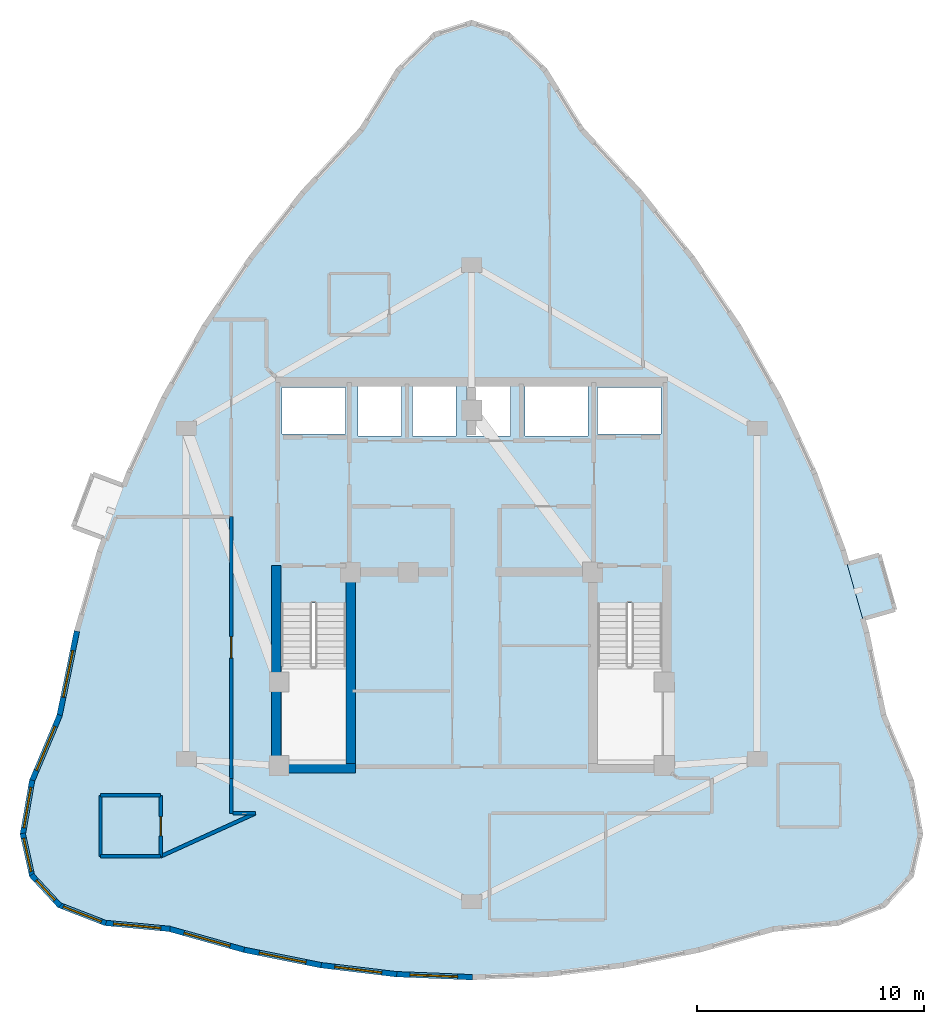
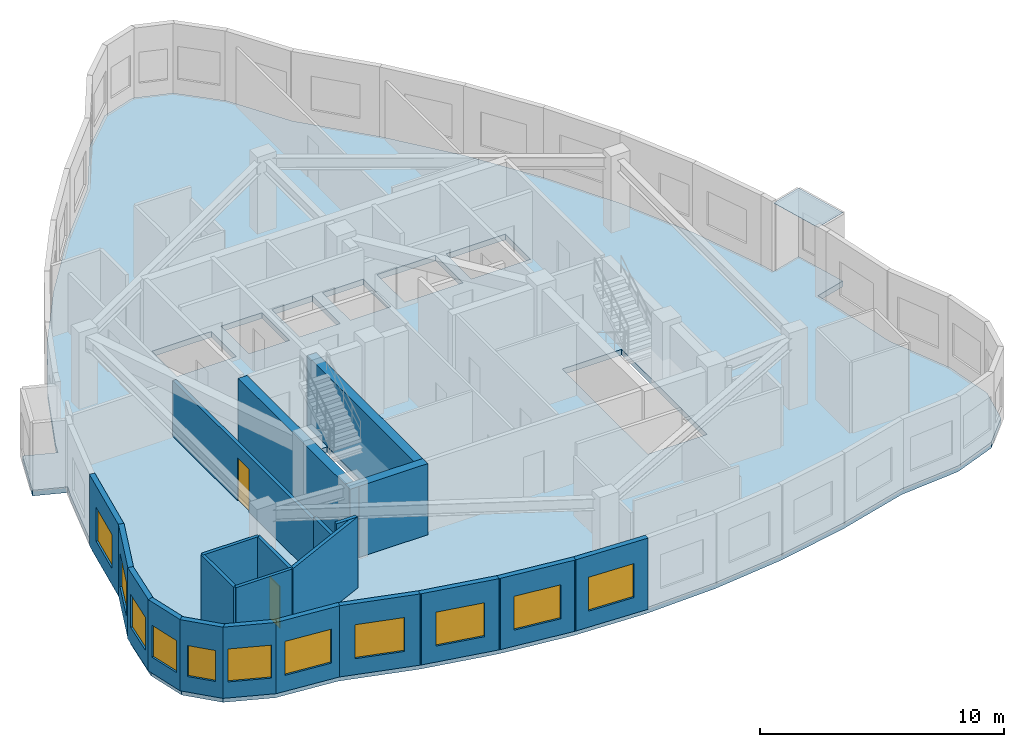
# One storey, part 4 of 9: 22 walls, 11 windows, 2 doors, 1 plate, 1 slab, 13 openings.
"""IFC4 building model written with IfcOpenShell, lengths in metres."""

from ifc_helpers import new_model, si_unit, direction, frame, frame_2d, origin, place, context, subcontext, project, spatial, polyline, rectangle, outline, extrude, material, layer, layer_set, type_object, element, fill, save


model = new_model("IFC4")

# Units and contexts
model_context = context("Model", 3, precision=1e-05, world=origin(), true_north=direction((0.0, 1.0)))
body_context = subcontext(model_context, "Body", "Model", "MODEL_VIEW")
ifc_project = project(units=[si_unit("LENGTHUNIT", "METRE"), si_unit("AREAUNIT", "SQUARE_METRE"), si_unit("VOLUMEUNIT", "CUBIC_METRE"), si_unit("PLANEANGLEUNIT", "RADIAN"), si_unit("MASSUNIT", "GRAM", prefix="KILO")], contexts=[model_context])

# Site, building, storey
site_placement = place(None, origin())
site = spatial("IfcSite", under=ifc_project, at=site_placement, CompositionType="ELEMENT")
building_placement = place(site_placement, origin())
building = spatial("IfcBuilding", under=site, at=building_placement, Name="Miruveldt Soraemaru", CompositionType="ELEMENT")
storey_placement = place(building_placement, frame((0.0, 0.0, 267.39990234375)))
storey = spatial("IfcBuildingStorey", under=building, at=storey_placement, Name="L73", CompositionType="ELEMENT", Elevation=267.39990234375)

# Plate
ifc_material_1 = material(Name="Standing-seam titanium-zinc sheet", Category="aluminium")
ifc_layer_1 = layer(ifc_material_1, 0.011962890625, Name="Standing-seam titanium-zinc sheet", Category="aluminium")
ifc_layer_set_1 = layer_set([ifc_layer_1], Name="Standing-seam titanium-zinc sheet")
plate_type = type_object("IfcPlateType", Name="PLT-ZINC-12", PredefinedType="SHEET", material=ifc_layer_set_1)
plate_placement = place(storey_placement, frame((0.0, 0.0, 3.4150390625)))
element("IfcPlate", 1, at=plate_placement, inside=storey, type_object=plate_type, Name="L73 Bay Window Zinc Hood Sheet 2", PredefinedType="SHEET", context=body_context, shape_type="SweptSolid", body=[
    extrude(outline(polyline([(61.26416015625, 41.97998046875), (60.570068359375, 44.406494140625), (61.992919921875, 44.813720703125), (62.68701171875, 42.386962890625), (61.26416015625, 41.97998046875)])), origin(), (0.0, 0.0, 1.0), 0.011962890625),
])

# Slab
ifc_material_2 = material(Name="Concrete C40/50 (40 MPa)", Category="concrete")
ifc_layer_2 = layer(ifc_material_2, 0.284912109375, Name="Concrete C40/50 (40 MPa)", Category="concrete")
ifc_layer_set_2 = layer_set([ifc_layer_2], Name="Concrete C40/50 (40 MPa)")
slab_type = type_object("IfcSlabType", Name="SLAB-RES4-285", PredefinedType="FLOOR", material=ifc_layer_set_2)
slab_placement = place(storey_placement, frame((0.0, 0.0, -0.284912109375)))
element("IfcSlab", 2, at=slab_placement, inside=storey, type_object=slab_type, Name="L73 Structural Floor Slab", PredefinedType="FLOOR", context=body_context, shape_type="SweptSolid", body=[
    extrude(outline(polyline([(61.427490234375, 41.40869140625), (62.189453125, 37.706298828125), (63.401123046875, 34.83349609375), (63.80517578125, 32.48291015625), (63.401123046875, 30.654541015625), (62.189453125, 29.3486328125), (60.169921875, 28.565185546875), (57.342529296875, 28.303955078125), (54.007080078125, 27.3701171875), (50.67138671875, 26.702880859375), (47.335693359375, 26.302490234375), (44.0, 26.169189453125), (40.664306640625, 26.302490234375), (37.32861328125, 26.702880859375), (33.992919921875, 27.3701171875), (30.657470703125, 28.303955078125), (27.830078125, 28.565185546875), (25.810546875, 29.3486328125), (24.598876953125, 30.654541015625), (24.19482421875, 32.48291015625), (24.598876953125, 34.83349609375), (25.810546875, 37.706298828125), (26.572509765625, 41.40869140625), (27.59326171875, 44.977783203125), (28.23291015625, 46.695556640625), (27.7978515625, 45.52734375), (26.410888671875, 46.0439453125), (27.28125, 48.380126953125), (28.668212890625, 47.863525390625), (28.872802734375, 48.413330078125), (30.4111328125, 51.71533203125), (32.20849609375, 54.884033203125), (34.264404296875, 57.91943359375), (36.579345703125, 60.8212890625), (39.1533203125, 63.589599609375), (40.768798828125, 66.201416015625), (42.384521484375, 67.7685546875), (44.0, 68.290771484375), (45.615478515625, 67.7685546875), (47.231201171875, 66.201416015625), (48.8466796875, 63.589599609375), (51.420654296875, 60.8212890625), (53.735595703125, 57.91943359375), (55.79150390625, 54.884033203125), (57.5888671875, 51.71533203125), (59.127197265625, 48.413330078125), (60.40673828125, 44.977783203125), (60.570068359375, 44.406494140625), (61.992919921875, 44.813720703125), (62.68701171875, 42.386962890625), (61.26416015625, 41.97998046875), (60.9169921875, 43.193115234375), (61.427490234375, 41.40869140625)]), holes=[polyline([(35.614990234375, 35.6650390625), (38.43505859375, 35.6650390625), (38.43505859375, 42.68505859375), (35.614990234375, 42.68505859375), (35.614990234375, 35.6650390625)]), polyline([(49.56494140625, 35.6650390625), (52.385009765625, 35.6650390625), (52.385009765625, 42.68505859375), (49.56494140625, 42.68505859375), (49.56494140625, 35.6650390625)]), polyline([(38.445068359375, 50.135009765625), (38.445068359375, 52.205078125), (35.635009765625, 52.205078125), (35.635009765625, 50.135009765625), (38.445068359375, 50.135009765625)]), polyline([(52.364990234375, 50.135009765625), (52.364990234375, 52.205078125), (49.554931640625, 52.205078125), (49.554931640625, 50.135009765625), (52.364990234375, 50.135009765625)]), polyline([(40.9150390625, 50.06494140625), (40.9150390625, 52.3349609375), (38.985107421875, 52.3349609375), (38.985107421875, 50.06494140625), (40.9150390625, 50.06494140625)]), polyline([(43.31494140625, 50.06494140625), (43.31494140625, 52.3349609375), (41.385009765625, 52.3349609375), (41.385009765625, 50.06494140625), (43.31494140625, 50.06494140625)]), polyline([(45.715087890625, 50.06494140625), (45.715087890625, 52.3349609375), (43.784912109375, 52.3349609375), (43.784912109375, 50.06494140625), (45.715087890625, 50.06494140625)]), polyline([(49.135009765625, 50.06494140625), (49.135009765625, 52.3349609375), (46.364990234375, 52.3349609375), (46.364990234375, 50.06494140625), (49.135009765625, 50.06494140625)])]), origin(), (0.0, 0.0, 1.0), 0.284912109375),
])

# Walls
ifc_material_3 = material(Name="Concrete C50/60 (50 MPa)", Category="concrete")
ifc_layer_3 = layer(ifc_material_3, 0.419921875, Name="Concrete C50/60 (50 MPa)", Category="concrete")
ifc_layer_set_3 = layer_set([ifc_layer_3], Name="Concrete C50/60 (50 MPa)")
wall_type_1 = type_object("IfcWallType", Name="WALL-CW-420", PredefinedType="SHEAR", material=ifc_layer_set_3)
wall_1_placement = place(storey_placement, frame((35.179931640625, 35.389892578125, 0.0), z_axis=(0.0, 0.0, 1.0), x_axis=(1.0, 0.0, 0.0)))
element("IfcWall", 3, at=wall_1_placement, inside=storey, type_object=wall_type_1, Name="L73 Central Core Shear Wall S1", PredefinedType="SHEAR", context=body_context, shape_type="SweptSolid", body=[
    extrude(rectangle(XDim=3.690185546875, YDim=0.419921875, at=frame_2d((1.84521484375, 0.0))), origin(), (0.0, 0.0, 1.0), 3.565185546875),
])
wall_2_placement = place(storey_placement, frame((35.389892578125, 35.179931640625, 0.0), z_axis=(0.0, 0.0, 1.0), x_axis=(0.0, 1.0, 0.0)))
element("IfcWall", 4, at=wall_2_placement, inside=storey, type_object=wall_type_1, Name="L73 Central Core Shear Wall W1", PredefinedType="SHEAR", context=body_context, shape_type="SweptSolid", body=[
    extrude(rectangle(XDim=9.170166015625, YDim=0.419921875, at=frame_2d((4.5849609375, 0.0))), origin(), (0.0, 0.0, 1.0), 3.565185546875),
])
wall_3_placement = place(storey_placement, frame((38.659912109375, 35.39990234375, 0.0), z_axis=(0.0, 0.0, 1.0), x_axis=(0.0, 1.0, 0.0)))
element("IfcWall", 5, at=wall_3_placement, inside=storey, type_object=wall_type_1, Name="L73 Central Core Shear Wall SW-INT", PredefinedType="SHEAR", context=body_context, shape_type="SweptSolid", body=[
    extrude(rectangle(XDim=8.9501953125, YDim=0.419921875, at=frame_2d((4.47509765625, 0.0))), origin(), (0.0, 0.0, 1.0), 3.565185546875),
])

# Wall, opening, window
ifc_material_4 = material(Name="Precast concrete C45/55 (45 MPa)", Category="concrete")
ifc_layer_4 = layer(ifc_material_4, 0.239990234375, Name="Precast concrete C45/55 (45 MPa)", Category="concrete")
ifc_layer_set_4 = layer_set([ifc_layer_4], Name="Precast concrete C45/55 (45 MPa)")
wall_type_2 = type_object("IfcWallType", Name="WALL-EXT-PC240", PredefinedType="SOLIDWALL", material=ifc_layer_set_4)
wall_4_placement = place(storey_placement, frame((26.57958984375, 41.443115234375, 0.0), z_axis=(0.0, 0.0, 1.0), x_axis=(-0.201588507815, -0.979470302519, 0.0)))
wall_4 = element("IfcWall", 6, at=wall_4_placement, inside=storey, type_object=wall_type_2, Name="L73 Precast Concrete Facade Wall 14", PredefinedType="SOLIDWALL", context=body_context, shape_type="SweptSolid", body=[
    extrude(rectangle(XDim=3.85009765625, YDim=0.239990234375, at=frame_2d((1.925048828125, 0.0))), origin(), (0.0, 0.0, 1.0), 3.565185546875),
])
opening_1_placement = place(wall_4_placement, frame((0.875, 0.0, 0.800048828125)))
opening_1 = element("IfcOpeningElement", 7, at=opening_1_placement, cuts=wall_4, Name="Opening WN-1", PredefinedType="OPENING", context=body_context, shape_type="SweptSolid", body=[
    extrude(rectangle(XDim=2.10009765625, YDim=1.699951171875, at=frame_2d((1.050048828125, 0.85009765625))), frame((0.0, 0.1298828125, 0.0), z_axis=(0.0, -1.0, 0.0), x_axis=(1.0, 0.0, 0.0)), (0.0, 0.0, 1.0), 0.260009765625),
])
ifc_material_5 = material(Name="Triple low-e insulated glazing", Category="glass")
window_type_1 = type_object("IfcWindowType", Name="WIN-PUNCH-2100x1700", PartitioningType="SINGLE_PANEL", PredefinedType="WINDOW", material=ifc_material_5)
window_1_placement = place(opening_1_placement, origin())
window_1 = element("IfcWindow", 8, at=window_1_placement, inside=storey, type_object=window_type_1, Name="L73 Punched Triple-Glazed Window 14.1", OverallHeight=1.699951171875, OverallWidth=2.10009765625, PartitioningType="SINGLE_PANEL", PredefinedType="WINDOW", context=body_context, shape_type="SweptSolid", body=[
    extrude(rectangle(XDim=2.10009765625, YDim=1.699951171875, at=frame_2d((1.050048828125, 0.85009765625))), frame((0.0, 0.030029296875, 0.0), z_axis=(0.0, -1.0, 0.0), x_axis=(1.0, 0.0, 0.0)), (0.0, 0.0, 1.0), 0.06005859375),
])
fill(opening_1, window_1)

wall_5_placement = place(storey_placement, frame((25.82421875, 37.738525390625, 0.0), z_axis=(0.0, 0.0, 1.0), x_axis=(-0.388662919485, -0.921380016615, 0.0)))
wall_5 = element("IfcWall", 9, at=wall_5_placement, inside=storey, type_object=wall_type_2, Name="L73 Precast Concrete Facade Wall 15", PredefinedType="SOLIDWALL", context=body_context, shape_type="SweptSolid", body=[
    extrude(rectangle(XDim=3.18798828125, YDim=0.239990234375, at=frame_2d((1.593994140625, 0.0))), origin(), (0.0, 0.0, 1.0), 3.565185546875),
])
opening_2_placement = place(wall_5_placement, frame((0.5439453125, 0.0, 0.800048828125)))
opening_2 = element("IfcOpeningElement", 10, at=opening_2_placement, cuts=wall_5, Name="Opening WN-1", PredefinedType="OPENING", context=body_context, shape_type="SweptSolid", body=[
    extrude(rectangle(XDim=2.10009765625, YDim=1.699951171875, at=frame_2d((1.050048828125, 0.85009765625))), frame((0.0, 0.1298828125, 0.0), z_axis=(0.0, -1.0, 0.0), x_axis=(1.0, 0.0, 0.0)), (0.0, 0.0, 1.0), 0.260009765625),
])
window_2_placement = place(opening_2_placement, origin())
window_2 = element("IfcWindow", 11, at=window_2_placement, inside=storey, type_object=window_type_1, Name="L73 Punched Triple-Glazed Window 15.1", OverallHeight=1.699951171875, OverallWidth=2.10009765625, PartitioningType="SINGLE_PANEL", PredefinedType="WINDOW", context=body_context, shape_type="SweptSolid", body=[
    extrude(rectangle(XDim=2.10009765625, YDim=1.699951171875, at=frame_2d((1.050048828125, 0.85009765625))), frame((0.0, 0.030029296875, 0.0), z_axis=(0.0, -1.0, 0.0), x_axis=(1.0, 0.0, 0.0)), (0.0, 0.0, 1.0), 0.06005859375),
])
fill(opening_2, window_2)

wall_6_placement = place(storey_placement, frame((24.604736328125, 34.867919921875, 0.0), z_axis=(0.0, 0.0, 1.0), x_axis=(-0.169347449278, -0.985556412096, 0.0)))
wall_6 = element("IfcWall", 12, at=wall_6_placement, inside=storey, type_object=wall_type_2, Name="L73 Precast Concrete Facade Wall 16", PredefinedType="SOLIDWALL", context=body_context, shape_type="SweptSolid", body=[
    extrude(rectangle(XDim=2.455078125, YDim=0.239990234375, at=frame_2d((1.2275390625, 0.0))), origin(), (0.0, 0.0, 1.0), 3.565185546875),
])
opening_3_placement = place(wall_6_placement, frame((0.327880859375, 0.0, 0.800048828125)))
opening_3 = element("IfcOpeningElement", 13, at=opening_3_placement, cuts=wall_6, Name="Opening WN-2", PredefinedType="OPENING", context=body_context, shape_type="SweptSolid", body=[
    extrude(rectangle(XDim=1.800048828125, YDim=1.64990234375, at=frame_2d((0.89990234375, 0.824951171875))), frame((0.0, 0.1298828125, 0.0), z_axis=(0.0, -1.0, 0.0), x_axis=(1.0, 0.0, 0.0)), (0.0, 0.0, 1.0), 0.260009765625),
])
window_type_2 = type_object("IfcWindowType", Name="WIN-PUNCH-1800x1650", PartitioningType="SINGLE_PANEL", PredefinedType="WINDOW", material=ifc_material_5)
window_3_placement = place(opening_3_placement, origin())
window_3 = element("IfcWindow", 14, at=window_3_placement, inside=storey, type_object=window_type_2, Name="L73 Punched Triple-Glazed Window 16.1", OverallHeight=1.64990234375, OverallWidth=1.800048828125, PartitioningType="SINGLE_PANEL", PredefinedType="WINDOW", context=body_context, shape_type="SweptSolid", body=[
    extrude(rectangle(XDim=1.800048828125, YDim=1.64990234375, at=frame_2d((0.89990234375, 0.824951171875))), frame((0.0, 0.030029296875, 0.0), z_axis=(0.0, -1.0, 0.0), x_axis=(1.0, 0.0, 0.0)), (0.0, 0.0, 1.0), 0.06005859375),
])
fill(opening_3, window_3)

wall_7_placement = place(storey_placement, frame((24.187255859375, 32.51708984375, 0.0), z_axis=(0.0, 0.0, 1.0), x_axis=(0.2157991576, -0.976437772507, 0.0)))
wall_7 = element("IfcWall", 15, at=wall_7_placement, inside=storey, type_object=wall_type_2, Name="L73 Precast Concrete Facade Wall 17", PredefinedType="SOLIDWALL", context=body_context, shape_type="SweptSolid", body=[
    extrude(rectangle(XDim=1.9423828125, YDim=0.239990234375, at=frame_2d((0.97119140625, 0.0))), origin(), (0.0, 0.0, 1.0), 3.565185546875),
])
opening_4_placement = place(wall_7_placement, frame((0.220947265625, 0.0, 0.800048828125)))
opening_4 = element("IfcOpeningElement", 16, at=opening_4_placement, cuts=wall_7, Name="Opening WN-3", PredefinedType="OPENING", context=body_context, shape_type="SweptSolid", body=[
    extrude(rectangle(XDim=1.5, YDim=1.60009765625, at=frame_2d((0.75, 0.800048828125))), frame((0.0, 0.1298828125, 0.0), z_axis=(0.0, -1.0, 0.0), x_axis=(1.0, 0.0, 0.0)), (0.0, 0.0, 1.0), 0.260009765625),
])
window_type_3 = type_object("IfcWindowType", Name="WIN-PUNCH-1500x1600", PartitioningType="SINGLE_PANEL", PredefinedType="WINDOW", material=ifc_material_5)
window_4_placement = place(opening_4_placement, origin())
window_4 = element("IfcWindow", 17, at=window_4_placement, inside=storey, type_object=window_type_3, Name="L73 Punched Triple-Glazed Window 17.1", OverallHeight=1.60009765625, OverallWidth=1.5, PartitioningType="SINGLE_PANEL", PredefinedType="WINDOW", context=body_context, shape_type="SweptSolid", body=[
    extrude(rectangle(XDim=1.5, YDim=1.60009765625, at=frame_2d((0.75, 0.800048828125))), frame((0.0, 0.030029296875, 0.0), z_axis=(0.0, -1.0, 0.0), x_axis=(1.0, 0.0, 0.0)), (0.0, 0.0, 1.0), 0.06005859375),
])
fill(opening_4, window_4)

wall_8_placement = place(storey_placement, frame((24.574951171875, 30.680419921875, 0.0), z_axis=(0.0, 0.0, 1.0), x_axis=(0.680177974589, -0.733047012738, 0.0)))
wall_8 = element("IfcWall", 18, at=wall_8_placement, inside=storey, type_object=wall_type_2, Name="L73 Precast Concrete Facade Wall 18", PredefinedType="SOLIDWALL", context=body_context, shape_type="SweptSolid", body=[
    extrude(rectangle(XDim=1.851806640625, YDim=0.239990234375, at=frame_2d((0.92578125, 0.0))), origin(), (0.0, 0.0, 1.0), 3.565185546875),
])
opening_5_placement = place(wall_8_placement, frame((0.325927734375, 0.0, 0.780029296875)))
opening_5 = element("IfcOpeningElement", 19, at=opening_5_placement, cuts=wall_8, Name="Opening WN-4", PredefinedType="OPENING", context=body_context, shape_type="SweptSolid", body=[
    extrude(rectangle(XDim=1.199951171875, YDim=1.550048828125, at=frame_2d((0.60009765625, 0.77490234375))), frame((0.0, 0.1298828125, 0.0), z_axis=(0.0, -1.0, 0.0), x_axis=(1.0, 0.0, 0.0)), (0.0, 0.0, 1.0), 0.260009765625),
])
window_type_4 = type_object("IfcWindowType", Name="WIN-PUNCH-1200x1550", PartitioningType="SINGLE_PANEL", PredefinedType="WINDOW", material=ifc_material_5)
window_5_placement = place(opening_5_placement, origin())
window_5 = element("IfcWindow", 20, at=window_5_placement, inside=storey, type_object=window_type_4, Name="L73 Punched Triple-Glazed Window 18.1", OverallHeight=1.550048828125, OverallWidth=1.199951171875, PartitioningType="SINGLE_PANEL", PredefinedType="WINDOW", context=body_context, shape_type="SweptSolid", body=[
    extrude(rectangle(XDim=1.199951171875, YDim=1.550048828125, at=frame_2d((0.60009765625, 0.77490234375))), frame((0.0, 0.030029296875, 0.0), z_axis=(0.0, -1.0, 0.0), x_axis=(1.0, 0.0, 0.0)), (0.0, 0.0, 1.0), 0.06005859375),
])
fill(opening_5, window_5)

wall_9_placement = place(storey_placement, frame((25.778076171875, 29.361328125, 0.0), z_axis=(0.0, 0.0, 1.0), x_axis=(0.932289188826, -0.361713793486, 0.0)))
wall_9 = element("IfcWall", 21, at=wall_9_placement, inside=storey, type_object=wall_type_2, Name="L73 Precast Concrete Facade Wall 19", PredefinedType="SOLIDWALL", context=body_context, shape_type="SweptSolid", body=[
    extrude(rectangle(XDim=2.236083984375, YDim=0.239990234375, at=frame_2d((1.1181640625, 0.0))), origin(), (0.0, 0.0, 1.0), 3.565185546875),
])
opening_6_placement = place(wall_9_placement, frame((0.218017578125, 0.0, 0.800048828125)))
opening_6 = element("IfcOpeningElement", 22, at=opening_6_placement, cuts=wall_9, Name="Opening WN-2", PredefinedType="OPENING", context=body_context, shape_type="SweptSolid", body=[
    extrude(rectangle(XDim=1.800048828125, YDim=1.64990234375, at=frame_2d((0.89990234375, 0.824951171875))), frame((0.0, 0.1298828125, 0.0), z_axis=(0.0, -1.0, 0.0), x_axis=(1.0, 0.0, 0.0)), (0.0, 0.0, 1.0), 0.260009765625),
])
window_6_placement = place(opening_6_placement, origin())
window_6 = element("IfcWindow", 23, at=window_6_placement, inside=storey, type_object=window_type_2, Name="L73 Punched Triple-Glazed Window 19.1", OverallHeight=1.64990234375, OverallWidth=1.800048828125, PartitioningType="SINGLE_PANEL", PredefinedType="WINDOW", context=body_context, shape_type="SweptSolid", body=[
    extrude(rectangle(XDim=1.800048828125, YDim=1.64990234375, at=frame_2d((0.89990234375, 0.824951171875))), frame((0.0, 0.030029296875, 0.0), z_axis=(0.0, -1.0, 0.0), x_axis=(1.0, 0.0, 0.0)), (0.0, 0.0, 1.0), 0.06005859375),
])
fill(opening_6, window_6)

wall_10_placement = place(storey_placement, frame((27.795166015625, 28.568359375, 0.0), z_axis=(0.0, 0.0, 1.0), x_axis=(0.995762187916, -0.09196556484, 0.0)))
wall_10 = element("IfcWall", 24, at=wall_10_placement, inside=storey, type_object=wall_type_2, Name="L73 Precast Concrete Facade Wall 20", PredefinedType="SOLIDWALL", context=body_context, shape_type="SweptSolid", body=[
    extrude(rectangle(XDim=2.90966796875, YDim=0.239990234375, at=frame_2d((1.454833984375, 0.0))), origin(), (0.0, 0.0, 1.0), 3.565185546875),
])
opening_7_placement = place(wall_10_placement, frame((0.405029296875, 0.0, 0.800048828125)))
opening_7 = element("IfcOpeningElement", 25, at=opening_7_placement, cuts=wall_10, Name="Opening WN-1", PredefinedType="OPENING", context=body_context, shape_type="SweptSolid", body=[
    extrude(rectangle(XDim=2.10009765625, YDim=1.699951171875, at=frame_2d((1.050048828125, 0.85009765625))), frame((0.0, 0.1298828125, 0.0), z_axis=(0.0, -1.0, 0.0), x_axis=(1.0, 0.0, 0.0)), (0.0, 0.0, 1.0), 0.260009765625),
])
window_7_placement = place(opening_7_placement, origin())
window_7 = element("IfcWindow", 26, at=window_7_placement, inside=storey, type_object=window_type_1, Name="L73 Punched Triple-Glazed Window 20.1", OverallHeight=1.699951171875, OverallWidth=2.10009765625, PartitioningType="SINGLE_PANEL", PredefinedType="WINDOW", context=body_context, shape_type="SweptSolid", body=[
    extrude(rectangle(XDim=2.10009765625, YDim=1.699951171875, at=frame_2d((1.050048828125, 0.85009765625))), frame((0.0, 0.030029296875, 0.0), z_axis=(0.0, -1.0, 0.0), x_axis=(1.0, 0.0, 0.0)), (0.0, 0.0, 1.0), 0.06005859375),
])
fill(opening_7, window_7)

wall_11_placement = place(storey_placement, frame((30.623779296875, 28.3134765625, 0.0), z_axis=(0.0, 0.0, 1.0), x_axis=(0.962957561597, -0.26965298916, 0.0)))
wall_11 = element("IfcWall", 27, at=wall_11_placement, inside=storey, type_object=wall_type_2, Name="L73 Precast Concrete Facade Wall 21", PredefinedType="SOLIDWALL", context=body_context, shape_type="SweptSolid", body=[
    extrude(rectangle(XDim=3.53369140625, YDim=0.239990234375, at=frame_2d((1.766845703125, 0.0))), origin(), (0.0, 0.0, 1.0), 3.565185546875),
])
opening_8_placement = place(wall_11_placement, frame((0.717041015625, 0.0, 0.800048828125)))
opening_8 = element("IfcOpeningElement", 28, at=opening_8_placement, cuts=wall_11, Name="Opening WN-1", PredefinedType="OPENING", context=body_context, shape_type="SweptSolid", body=[
    extrude(rectangle(XDim=2.10009765625, YDim=1.699951171875, at=frame_2d((1.050048828125, 0.85009765625))), frame((0.0, 0.1298828125, 0.0), z_axis=(0.0, -1.0, 0.0), x_axis=(1.0, 0.0, 0.0)), (0.0, 0.0, 1.0), 0.260009765625),
])
window_8_placement = place(opening_8_placement, origin())
window_8 = element("IfcWindow", 29, at=window_8_placement, inside=storey, type_object=window_type_1, Name="L73 Punched Triple-Glazed Window 21.1", OverallHeight=1.699951171875, OverallWidth=2.10009765625, PartitioningType="SINGLE_PANEL", PredefinedType="WINDOW", context=body_context, shape_type="SweptSolid", body=[
    extrude(rectangle(XDim=2.10009765625, YDim=1.699951171875, at=frame_2d((1.050048828125, 0.85009765625))), frame((0.0, 0.030029296875, 0.0), z_axis=(0.0, -1.0, 0.0), x_axis=(1.0, 0.0, 0.0)), (0.0, 0.0, 1.0), 0.06005859375),
])
fill(opening_8, window_8)

wall_12_placement = place(storey_placement, frame((33.958740234375, 27.376953125, 0.0), z_axis=(0.0, 0.0, 1.0), x_axis=(0.980577970883, -0.196129658691, 0.0)))
wall_12 = element("IfcWall", 30, at=wall_12_placement, inside=storey, type_object=wall_type_2, Name="L73 Precast Concrete Facade Wall 22", PredefinedType="SOLIDWALL", context=body_context, shape_type="SweptSolid", body=[
    extrude(rectangle(XDim=3.4716796875, YDim=0.239990234375, at=frame_2d((1.73583984375, 0.0))), origin(), (0.0, 0.0, 1.0), 3.565185546875),
])
opening_9_placement = place(wall_12_placement, frame((0.68603515625, 0.0, 0.800048828125)))
opening_9 = element("IfcOpeningElement", 31, at=opening_9_placement, cuts=wall_12, Name="Opening WN-1", PredefinedType="OPENING", context=body_context, shape_type="SweptSolid", body=[
    extrude(rectangle(XDim=2.10009765625, YDim=1.699951171875, at=frame_2d((1.050048828125, 0.85009765625))), frame((0.0, 0.1298828125, 0.0), z_axis=(0.0, -1.0, 0.0), x_axis=(1.0, 0.0, 0.0)), (0.0, 0.0, 1.0), 0.260009765625),
])
window_9_placement = place(opening_9_placement, origin())
window_9 = element("IfcWindow", 32, at=window_9_placement, inside=storey, type_object=window_type_1, Name="L73 Punched Triple-Glazed Window 22.1", OverallHeight=1.699951171875, OverallWidth=2.10009765625, PartitioningType="SINGLE_PANEL", PredefinedType="WINDOW", context=body_context, shape_type="SweptSolid", body=[
    extrude(rectangle(XDim=2.10009765625, YDim=1.699951171875, at=frame_2d((1.050048828125, 0.85009765625))), frame((0.0, 0.030029296875, 0.0), z_axis=(0.0, -1.0, 0.0), x_axis=(1.0, 0.0, 0.0)), (0.0, 0.0, 1.0), 0.06005859375),
])
fill(opening_9, window_9)

wall_13_placement = place(storey_placement, frame((37.2939453125, 26.70703125, 0.0), z_axis=(0.0, 0.0, 1.0), x_axis=(0.992874817346, -0.119162062248, 0.0)))
wall_13 = element("IfcWall", 33, at=wall_13_placement, inside=storey, type_object=wall_type_2, Name="L73 Precast Concrete Facade Wall 23", PredefinedType="SOLIDWALL", context=body_context, shape_type="SweptSolid", body=[
    extrude(rectangle(XDim=3.4296875, YDim=0.239990234375, at=frame_2d((1.71484375, 0.0))), origin(), (0.0, 0.0, 1.0), 3.565185546875),
])
opening_10_placement = place(wall_13_placement, frame((0.6650390625, 0.0, 0.800048828125)))
opening_10 = element("IfcOpeningElement", 34, at=opening_10_placement, cuts=wall_13, Name="Opening WN-1", PredefinedType="OPENING", context=body_context, shape_type="SweptSolid", body=[
    extrude(rectangle(XDim=2.10009765625, YDim=1.699951171875, at=frame_2d((1.050048828125, 0.85009765625))), frame((0.0, 0.1298828125, 0.0), z_axis=(0.0, -1.0, 0.0), x_axis=(1.0, 0.0, 0.0)), (0.0, 0.0, 1.0), 0.260009765625),
])
window_10_placement = place(opening_10_placement, origin())
window_10 = element("IfcWindow", 35, at=window_10_placement, inside=storey, type_object=window_type_1, Name="L73 Punched Triple-Glazed Window 23.1", OverallHeight=1.699951171875, OverallWidth=2.10009765625, PartitioningType="SINGLE_PANEL", PredefinedType="WINDOW", context=body_context, shape_type="SweptSolid", body=[
    extrude(rectangle(XDim=2.10009765625, YDim=1.699951171875, at=frame_2d((1.050048828125, 0.85009765625))), frame((0.0, 0.030029296875, 0.0), z_axis=(0.0, -1.0, 0.0), x_axis=(1.0, 0.0, 0.0)), (0.0, 0.0, 1.0), 0.06005859375),
])
fill(opening_10, window_10)

wall_14_placement = place(storey_placement, frame((40.62939453125, 26.303955078125, 0.0), z_axis=(0.0, 0.0, 1.0), x_axis=(0.999200844289, -0.039970899069, 0.0)))
wall_14 = element("IfcWall", 36, at=wall_14_placement, inside=storey, type_object=wall_type_2, Name="L73 Precast Concrete Facade Wall 24", PredefinedType="SOLIDWALL", context=body_context, shape_type="SweptSolid", body=[
    extrude(rectangle(XDim=3.408203125, YDim=0.239990234375, at=frame_2d((1.7041015625, 0.0))), origin(), (0.0, 0.0, 1.0), 3.565185546875),
])
opening_11_placement = place(wall_14_placement, frame((0.654052734375, 0.0, 0.800048828125)))
opening_11 = element("IfcOpeningElement", 37, at=opening_11_placement, cuts=wall_14, Name="Opening WN-1", PredefinedType="OPENING", context=body_context, shape_type="SweptSolid", body=[
    extrude(rectangle(XDim=2.10009765625, YDim=1.699951171875, at=frame_2d((1.050048828125, 0.85009765625))), frame((0.0, 0.1298828125, 0.0), z_axis=(0.0, -1.0, 0.0), x_axis=(1.0, 0.0, 0.0)), (0.0, 0.0, 1.0), 0.260009765625),
])
window_11_placement = place(opening_11_placement, origin())
window_11 = element("IfcWindow", 38, at=window_11_placement, inside=storey, type_object=window_type_1, Name="L73 Punched Triple-Glazed Window 24.1", OverallHeight=1.699951171875, OverallWidth=2.10009765625, PartitioningType="SINGLE_PANEL", PredefinedType="WINDOW", context=body_context, shape_type="SweptSolid", body=[
    extrude(rectangle(XDim=2.10009765625, YDim=1.699951171875, at=frame_2d((1.050048828125, 0.85009765625))), frame((0.0, 0.030029296875, 0.0), z_axis=(0.0, -1.0, 0.0), x_axis=(1.0, 0.0, 0.0)), (0.0, 0.0, 1.0), 0.06005859375),
])
fill(opening_11, window_11)

# Wall, opening, door
ifc_material_6 = material(Name="Gypsum plasterboard lining", Category="gypsum")
ifc_layer_5 = layer(ifc_material_6, 0.14990234375, Name="Gypsum plasterboard lining", Category="gypsum")
ifc_layer_set_5 = layer_set([ifc_layer_5], Name="Gypsum plasterboard lining")
wall_type_3 = type_object("IfcWallType", Name="WALL-INT-PLUMB", PredefinedType="PLUMBINGWALL", material=ifc_layer_set_5)
wall_15_placement = place(storey_placement, frame((30.27490234375, 31.5009765625, 0.0), z_axis=(0.0, 0.0, 1.0), x_axis=(0.0, 1.0, 0.0)))
wall_15 = element("IfcWall", 39, at=wall_15_placement, inside=storey, type_object=wall_type_3, Name="L73 Partition Wall 17", PredefinedType="PLUMBINGWALL", context=body_context, shape_type="SweptSolid", body=[
    extrude(rectangle(XDim=2.699951171875, YDim=0.14990234375, at=frame_2d((1.35009765625, 0.0))), origin(), (0.0, 0.0, 1.0), 3.565185546875),
])
opening_12_placement = place(wall_15_placement, frame((0.909912109375, 0.0, 0.0)))
opening_12 = element("IfcOpeningElement", 40, at=opening_12_placement, cuts=wall_15, Name="Opening FD3", PredefinedType="OPENING", context=body_context, shape_type="SweptSolid", body=[
    extrude(rectangle(XDim=0.85009765625, YDim=2.10009765625, at=frame_2d((0.425048828125, 1.050048828125))), frame((0.0, 0.0849609375, 0.0), z_axis=(0.0, -1.0, 0.0), x_axis=(1.0, 0.0, 0.0)), (0.0, 0.0, 1.0), 0.169921875),
])
ifc_material_7 = material(Name="Anodised aluminium EN AW-6063 T6", Category="aluminium")
door_type_1 = type_object("IfcDoorType", Name="DOOR-FD3-850", OperationType="NOTDEFINED", PredefinedType="DOOR", material=ifc_material_7)
door_1_placement = place(opening_12_placement, origin())
door_1 = element("IfcDoor", 41, at=door_1_placement, inside=storey, type_object=door_type_1, Name="L73 Unit CL02 BTH Door", OperationType="SINGLE_SWING_LEFT", OverallHeight=2.10009765625, OverallWidth=0.85009765625, PredefinedType="DOOR", context=body_context, shape_type="SweptSolid", body=[
    extrude(rectangle(XDim=0.85009765625, YDim=2.10009765625, at=frame_2d((0.425048828125, 1.050048828125))), frame((0.0, 0.02490234375, 0.0), z_axis=(0.0, -1.0, 0.0), x_axis=(1.0, 0.0, 0.0)), (0.0, 0.0, 1.0), 0.050048828125),
])
fill(opening_12, door_1)

# Walls
wall_16_placement = place(storey_placement, frame((27.625, 34.200927734375, 0.0), z_axis=(0.0, 0.0, 1.0), x_axis=(0.0, -1.0, 0.0)))
element("IfcWall", 42, at=wall_16_placement, inside=storey, type_object=wall_type_3, Name="L73 Partition Wall 19", PredefinedType="PLUMBINGWALL", context=body_context, shape_type="SweptSolid", body=[
    extrude(rectangle(XDim=2.699951171875, YDim=0.14990234375, at=frame_2d((1.35009765625, 0.0))), origin(), (0.0, 0.0, 1.0), 3.565185546875),
])
for number, where, z_axis, x_axis, name in (
    (43, (30.27490234375, 34.200927734375, 0.0), (0.0, 0.0, 1.0), (-1.0, 0.0, 0.0), "L73 Partition Wall 18"),
    (44, (27.625, 31.5009765625, 0.0), (0.0, 0.0, 1.0), (1.0, 0.0, 0.0), "L73 Partition Wall 20"),
):
    element("IfcWall", number, at=place(storey_placement, frame(where, z_axis=z_axis, x_axis=x_axis)), inside=storey, type_object=wall_type_3, Name=name, PredefinedType="PLUMBINGWALL", context=body_context, shape_type="SweptSolid", body=[
        extrude(rectangle(XDim=2.64990234375, YDim=0.14990234375, at=frame_2d((1.324951171875, 0.0))), origin(), (0.0, 0.0, 1.0), 3.565185546875),
    ])

# Wall, opening, door
ifc_layer_6 = layer(ifc_material_2, 0.159912109375, Name="Concrete C40/50 (40 MPa)", Category="concrete")
ifc_layer_set_6 = layer_set([ifc_layer_6], Name="Concrete C40/50 (40 MPa)")
wall_type_4 = type_object("IfcWallType", Name="WALL-INT-RC160", PredefinedType="SOLIDWALL", material=ifc_layer_set_6)
wall_17_placement = place(storey_placement, frame((33.39990234375, 46.5, 0.0), z_axis=(0.0, 0.0, 1.0), x_axis=(0.0, -1.0, 0.0)))
wall_17 = element("IfcWall", 45, at=wall_17_placement, inside=storey, type_object=wall_type_4, Name="L73 Partition Wall 4", PredefinedType="SOLIDWALL", context=body_context, shape_type="SweptSolid", body=[
    extrude(rectangle(XDim=11.550048828125, YDim=0.159912109375, at=frame_2d((5.77490234375, 0.0))), origin(), (0.0, 0.0, 1.0), 2.802978515625),
])
opening_13_placement = place(wall_17_placement, frame((5.300048828125, 0.0, 0.0)))
opening_13 = element("IfcOpeningElement", 46, at=opening_13_placement, cuts=wall_17, Name="Opening FD2", PredefinedType="OPENING", context=body_context, shape_type="SweptSolid", body=[
    extrude(rectangle(XDim=0.949951171875, YDim=2.14990234375, at=frame_2d((0.47509765625, 1.074951171875))), frame((0.0, 0.08984375, 0.0), z_axis=(0.0, -1.0, 0.0), x_axis=(1.0, 0.0, 0.0)), (0.0, 0.0, 1.0), 0.179931640625),
])
door_type_2 = type_object("IfcDoorType", Name="DOOR-FD2-950", OperationType="NOTDEFINED", PredefinedType="DOOR", material=ifc_material_7)
door_2_placement = place(opening_13_placement, origin())
door_2 = element("IfcDoor", 47, at=door_2_placement, inside=storey, type_object=door_type_2, Name="L73 Unit CL02 Entrance Fire Door", OperationType="SINGLE_SWING_RIGHT", OverallHeight=2.14990234375, OverallWidth=0.949951171875, PredefinedType="DOOR", context=body_context, shape_type="SweptSolid", body=[
    extrude(rectangle(XDim=0.949951171875, YDim=2.14990234375, at=frame_2d((0.47509765625, 1.074951171875))), frame((0.0, 0.02490234375, 0.0), z_axis=(0.0, -1.0, 0.0), x_axis=(1.0, 0.0, 0.0)), (0.0, 0.0, 1.0), 0.050048828125),
])
fill(opening_13, door_2)

# Walls
wall_18_placement = place(storey_placement, frame((34.452880859375, 33.39990234375, 0.0), z_axis=(0.0, 0.0, 1.0), x_axis=(-0.910379230001, -0.413774887568, 0.0)))
element("IfcWall", 48, at=wall_18_placement, inside=storey, type_object=wall_type_4, Name="L73 Partition Closure Return 2", PredefinedType="SOLIDWALL", context=body_context, shape_type="SweptSolid", body=[
    extrude(rectangle(XDim=4.58935546875, YDim=0.159912109375, at=frame_2d((2.294677734375, 0.0))), origin(), (0.0, 0.0, 1.0), 3.565185546875),
])
wall_19_placement = place(storey_placement, frame((33.39990234375, 34.949951171875, 0.0), z_axis=(0.0, 0.0, 1.0), x_axis=(0.0, -1.0, 0.0)))
element("IfcWall", 49, at=wall_19_placement, inside=storey, type_object=wall_type_4, Name="L73 Partition Wall 5", PredefinedType="SOLIDWALL", context=body_context, shape_type="SweptSolid", body=[
    extrude(rectangle(XDim=1.550048828125, YDim=0.159912109375, at=frame_2d((0.77490234375, 0.0))), origin(), (0.0, 0.0, 1.0), 2.965087890625),
])
wall_20_placement = place(storey_placement, frame((33.47998046875, 33.39990234375, 0.0), z_axis=(0.0, 0.0, 1.0), x_axis=(1.0, 0.0, 0.0)))
element("IfcWall", 50, at=wall_20_placement, inside=storey, type_object=wall_type_4, Name="L73 Partition Wall 6", PredefinedType="SOLIDWALL", context=body_context, shape_type="SweptSolid", body=[
    extrude(rectangle(XDim=0.972900390625, YDim=0.159912109375, at=frame_2d((0.486328125, 0.0))), origin(), (0.0, 0.0, 1.0), 3.565185546875),
])

save(model, "model.ifc")
